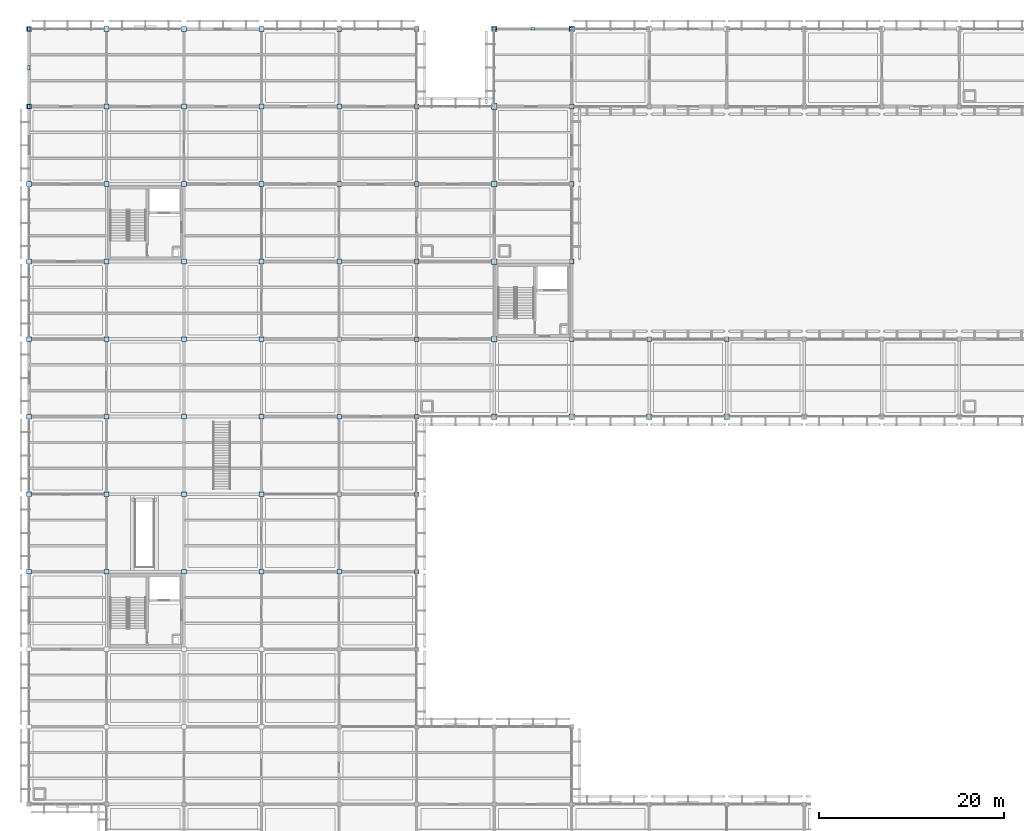
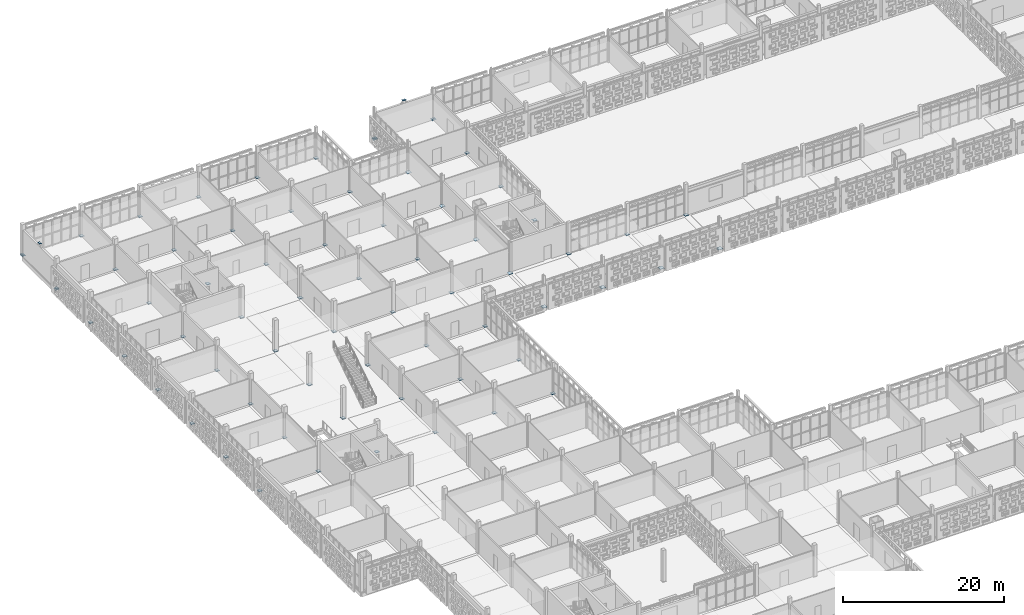
# One storey, part 109 of 203: 70 plates.
"""IFC4 building model written with IfcOpenShell, lengths in metres."""

from ifc_helpers import new_model, si_unit, direction, frame, origin, origin_2d, place, context, subcontext, project, spatial, rectangle, extrude, material, layer, layer_set, type_object, element, save


model = new_model("IFC4")

# Units and contexts
model_context = context("Model", 3, precision=1e-05, world=origin(), true_north=direction((0.0, 1.0)))
body_context = subcontext(model_context, "Body", "Model", "MODEL_VIEW")
ifc_project = project(units=[si_unit("LENGTHUNIT", "METRE"), si_unit("AREAUNIT", "SQUARE_METRE"), si_unit("VOLUMEUNIT", "CUBIC_METRE"), si_unit("PLANEANGLEUNIT", "RADIAN"), si_unit("MASSUNIT", "GRAM", prefix="KILO")], contexts=[model_context])

# Site, building, storey
site_placement = place(None, origin())
site = spatial("IfcSite", under=ifc_project, at=site_placement, CompositionType="ELEMENT")
building_placement = place(site_placement, origin())
building = spatial("IfcBuilding", under=site, at=building_placement, Name="Varnapada Polytechnic", CompositionType="ELEMENT")
storey_placement = place(building_placement, frame((0.0, 0.0, 4.800048828125)))
storey = spatial("IfcBuildingStorey", under=building, at=storey_placement, Name="L01", CompositionType="ELEMENT", Elevation=4.800048828125)

# Plates
ifc_material = material(Name="Steel S355", Category="steel")
ifc_layer_1 = layer(ifc_material, 0.034912109375)
ifc_layer_set_1 = layer_set([ifc_layer_1], Name="Steel S355")
plate_type_1 = type_object("IfcPlateType", Name="Plate BP-01", PredefinedType="SHEET", material=ifc_layer_set_1)
for number, where, z_axis, x_axis, name in (
    (1, (50.39990234375, 84.0, 0.0), (0.0, 0.0, 1.0), (1.0, 0.0, 0.0), "Column base shoe plate BP-01 at 7/11"),
    (2, (50.39990234375, 92.39990234375, 0.0), (0.0, 0.0, 1.0), (1.0, 0.0, 0.0), "Column base shoe plate BP-01 at 7/12"),
    (3, (50.39990234375, 100.800048828125, 0.0), (0.0, 0.0, 1.0), (1.0, 0.0, 0.0), "Column base shoe plate BP-01 at 7/13"),
    (4, (50.39990234375, 109.199951171875, 0.0), (0.0, 0.0, 1.0), (1.0, 0.0, 0.0), "Column base shoe plate BP-01 at 7/14"),
    (5, (50.39990234375, 117.60009765625, 0.0), (0.0, 0.0, 1.0), (1.0, 0.0, 0.0), "Column base shoe plate BP-01 at 7/15"),
    (6, (50.39990234375, 126.0, 0.0), (0.0, 0.0, 1.0), (1.0, 0.0, 0.0), "Column base shoe plate BP-01 at 7/16"),
    (7, (58.800048828125, 84.0, 0.0), (0.0, 0.0, 1.0), (1.0, 0.0, 0.0), "Column base shoe plate BP-01 at 8/11"),
    (8, (58.800048828125, 126.0, 0.0), (0.0, 0.0, 1.0), (1.0, 0.0, 0.0), "Column base shoe plate BP-01 at 8/16"),
    (9, (67.199951171875, 84.0, 0.0), (0.0, 0.0, 1.0), (1.0, 0.0, 0.0), "Column base shoe plate BP-01 at 9/11"),
    (10, (75.60009765625, 84.0, 0.0), (0.0, 0.0, 1.0), (1.0, 0.0, 0.0), "Column base shoe plate BP-01 at 10/11"),
):
    element("IfcPlate", number, at=place(storey_placement, frame(where, z_axis=z_axis, x_axis=x_axis)), inside=storey, type_object=plate_type_1, Name=name, PredefinedType="SHEET", context=body_context, shape_type="SweptSolid", body=[
        extrude(rectangle(XDim=0.60009765625, YDim=0.60009765625, at=origin_2d()), origin(), (0.0, 0.0, 1.0), 0.034912109375),
    ])
ifc_layer_2 = layer(ifc_material, 0.030029296875)
ifc_layer_set_2 = layer_set([ifc_layer_2], Name="Steel S355")
plate_type_2 = type_object("IfcPlateType", Name="Plate BP-02", PredefinedType="SHEET", material=ifc_layer_set_2)
for number, where, z_axis, x_axis, name in (
    (11, (0.0, 67.199951171875, 0.0), (0.0, 0.0, 1.0), (1.0, 0.0, 0.0), "Column base shoe plate BP-02 at 1/9"),
    (12, (0.0, 75.60009765625, 0.0), (0.0, 0.0, 1.0), (1.0, 0.0, 0.0), "Column base shoe plate BP-02 at 1/10"),
    (13, (0.0, 84.0, 0.0), (0.0, 0.0, 1.0), (1.0, 0.0, 0.0), "Column base shoe plate BP-02 at 1/11"),
    (14, (0.0, 92.39990234375, 0.0), (0.0, 0.0, 1.0), (1.0, 0.0, 0.0), "Column base shoe plate BP-02 at 1/12"),
    (15, (0.0, 100.800048828125, 0.0), (0.0, 0.0, 1.0), (1.0, 0.0, 0.0), "Column base shoe plate BP-02 at 1/13"),
    (16, (0.0, 109.199951171875, 0.0), (0.0, 0.0, 1.0), (1.0, 0.0, 0.0), "Column base shoe plate BP-02 at 1/14"),
    (17, (0.0, 117.60009765625, 0.0), (0.0, 0.0, 1.0), (1.0, 0.0, 0.0), "Column base shoe plate BP-02 at 1/15"),
    (18, (0.0, 126.0, 0.0), (0.0, 0.0, 1.0), (1.0, 0.0, 0.0), "Column base shoe plate BP-02 at 1/16"),
    (19, (8.39990234375, 67.199951171875, 0.0), (0.0, 0.0, 1.0), (1.0, 0.0, 0.0), "Column base shoe plate BP-02 at 2/9"),
    (20, (8.39990234375, 75.60009765625, 0.0), (0.0, 0.0, 1.0), (1.0, 0.0, 0.0), "Column base shoe plate BP-02 at 2/10"),
    (21, (8.39990234375, 84.0, 0.0), (0.0, 0.0, 1.0), (1.0, 0.0, 0.0), "Column base shoe plate BP-02 at 2/11"),
    (22, (8.39990234375, 92.39990234375, 0.0), (0.0, 0.0, 1.0), (1.0, 0.0, 0.0), "Column base shoe plate BP-02 at 2/12"),
    (23, (8.39990234375, 100.800048828125, 0.0), (0.0, 0.0, 1.0), (1.0, 0.0, 0.0), "Column base shoe plate BP-02 at 2/13"),
    (24, (8.39990234375, 109.199951171875, 0.0), (0.0, 0.0, 1.0), (1.0, 0.0, 0.0), "Column base shoe plate BP-02 at 2/14"),
    (25, (8.39990234375, 117.60009765625, 0.0), (0.0, 0.0, 1.0), (1.0, 0.0, 0.0), "Column base shoe plate BP-02 at 2/15"),
    (26, (8.39990234375, 126.0, 0.0), (0.0, 0.0, 1.0), (1.0, 0.0, 0.0), "Column base shoe plate BP-02 at 2/16"),
    (27, (16.800048828125, 67.199951171875, 0.0), (0.0, 0.0, 1.0), (1.0, 0.0, 0.0), "Column base shoe plate BP-02 at 3/9"),
    (28, (16.800048828125, 75.60009765625, 0.0), (0.0, 0.0, 1.0), (1.0, 0.0, 0.0), "Column base shoe plate BP-02 at 3/10"),
    (29, (16.800048828125, 84.0, 0.0), (0.0, 0.0, 1.0), (1.0, 0.0, 0.0), "Column base shoe plate BP-02 at 3/11"),
    (30, (16.800048828125, 92.39990234375, 0.0), (0.0, 0.0, 1.0), (1.0, 0.0, 0.0), "Column base shoe plate BP-02 at 3/12"),
    (31, (16.800048828125, 100.800048828125, 0.0), (0.0, 0.0, 1.0), (1.0, 0.0, 0.0), "Column base shoe plate BP-02 at 3/13"),
    (32, (16.800048828125, 109.199951171875, 0.0), (0.0, 0.0, 1.0), (1.0, 0.0, 0.0), "Column base shoe plate BP-02 at 3/14"),
    (33, (16.800048828125, 117.60009765625, 0.0), (0.0, 0.0, 1.0), (1.0, 0.0, 0.0), "Column base shoe plate BP-02 at 3/15"),
    (34, (16.800048828125, 126.0, 0.0), (0.0, 0.0, 1.0), (1.0, 0.0, 0.0), "Column base shoe plate BP-02 at 3/16"),
    (35, (25.199951171875, 67.199951171875, 0.0), (0.0, 0.0, 1.0), (1.0, 0.0, 0.0), "Column base shoe plate BP-02 at 4/9"),
    (36, (25.199951171875, 75.60009765625, 0.0), (0.0, 0.0, 1.0), (1.0, 0.0, 0.0), "Column base shoe plate BP-02 at 4/10"),
    (37, (25.199951171875, 84.0, 0.0), (0.0, 0.0, 1.0), (1.0, 0.0, 0.0), "Column base shoe plate BP-02 at 4/11"),
    (38, (25.199951171875, 92.39990234375, 0.0), (0.0, 0.0, 1.0), (1.0, 0.0, 0.0), "Column base shoe plate BP-02 at 4/12"),
    (39, (25.199951171875, 100.800048828125, 0.0), (0.0, 0.0, 1.0), (1.0, 0.0, 0.0), "Column base shoe plate BP-02 at 4/13"),
    (40, (25.199951171875, 109.199951171875, 0.0), (0.0, 0.0, 1.0), (1.0, 0.0, 0.0), "Column base shoe plate BP-02 at 4/14"),
    (41, (25.199951171875, 117.60009765625, 0.0), (0.0, 0.0, 1.0), (1.0, 0.0, 0.0), "Column base shoe plate BP-02 at 4/15"),
    (42, (25.199951171875, 126.0, 0.0), (0.0, 0.0, 1.0), (1.0, 0.0, 0.0), "Column base shoe plate BP-02 at 4/16"),
    (43, (33.60009765625, 67.199951171875, 0.0), (0.0, 0.0, 1.0), (1.0, 0.0, 0.0), "Column base shoe plate BP-02 at 5/9"),
    (44, (33.60009765625, 75.60009765625, 0.0), (0.0, 0.0, 1.0), (1.0, 0.0, 0.0), "Column base shoe plate BP-02 at 5/10"),
    (45, (33.60009765625, 84.0, 0.0), (0.0, 0.0, 1.0), (1.0, 0.0, 0.0), "Column base shoe plate BP-02 at 5/11"),
    (46, (33.60009765625, 92.39990234375, 0.0), (0.0, 0.0, 1.0), (1.0, 0.0, 0.0), "Column base shoe plate BP-02 at 5/12"),
    (47, (33.60009765625, 100.800048828125, 0.0), (0.0, 0.0, 1.0), (1.0, 0.0, 0.0), "Column base shoe plate BP-02 at 5/13"),
    (48, (33.60009765625, 109.199951171875, 0.0), (0.0, 0.0, 1.0), (1.0, 0.0, 0.0), "Column base shoe plate BP-02 at 5/14"),
    (49, (33.60009765625, 117.60009765625, 0.0), (0.0, 0.0, 1.0), (1.0, 0.0, 0.0), "Column base shoe plate BP-02 at 5/15"),
    (50, (33.60009765625, 126.0, 0.0), (0.0, 0.0, 1.0), (1.0, 0.0, 0.0), "Column base shoe plate BP-02 at 5/16"),
    (51, (42.0, 67.199951171875, 0.0), (0.0, 0.0, 1.0), (1.0, 0.0, 0.0), "Column base shoe plate BP-02 at 6/9"),
    (52, (42.0, 75.60009765625, 0.0), (0.0, 0.0, 1.0), (1.0, 0.0, 0.0), "Column base shoe plate BP-02 at 6/10"),
    (53, (42.0, 84.0, 0.0), (0.0, 0.0, 1.0), (1.0, 0.0, 0.0), "Column base shoe plate BP-02 at 6/11"),
    (54, (42.0, 92.39990234375, 0.0), (0.0, 0.0, 1.0), (1.0, 0.0, 0.0), "Column base shoe plate BP-02 at 6/12"),
    (55, (42.0, 100.800048828125, 0.0), (0.0, 0.0, 1.0), (1.0, 0.0, 0.0), "Column base shoe plate BP-02 at 6/13"),
    (56, (42.0, 109.199951171875, 0.0), (0.0, 0.0, 1.0), (1.0, 0.0, 0.0), "Column base shoe plate BP-02 at 6/14"),
    (57, (42.0, 117.60009765625, 0.0), (0.0, 0.0, 1.0), (1.0, 0.0, 0.0), "Column base shoe plate BP-02 at 6/15"),
    (58, (42.0, 126.0, 0.0), (0.0, 0.0, 1.0), (1.0, 0.0, 0.0), "Column base shoe plate BP-02 at 6/16"),
    (59, (58.800048828125, 92.39990234375, 0.0), (0.0, 0.0, 1.0), (1.0, 0.0, 0.0), "Column base shoe plate BP-02 at 8/12"),
    (60, (58.800048828125, 100.800048828125, 0.0), (0.0, 0.0, 1.0), (1.0, 0.0, 0.0), "Column base shoe plate BP-02 at 8/13"),
    (61, (58.800048828125, 109.199951171875, 0.0), (0.0, 0.0, 1.0), (1.0, 0.0, 0.0), "Column base shoe plate BP-02 at 8/14"),
    (62, (58.800048828125, 117.60009765625, 0.0), (0.0, 0.0, 1.0), (1.0, 0.0, 0.0), "Column base shoe plate BP-02 at 8/15"),
    (63, (67.199951171875, 92.39990234375, 0.0), (0.0, 0.0, 1.0), (1.0, 0.0, 0.0), "Column base shoe plate BP-02 at 9/12"),
    (64, (75.60009765625, 92.39990234375, 0.0), (0.0, 0.0, 1.0), (1.0, 0.0, 0.0), "Column base shoe plate BP-02 at 10/12"),
):
    element("IfcPlate", number, at=place(storey_placement, frame(where, z_axis=z_axis, x_axis=x_axis)), inside=storey, type_object=plate_type_2, Name=name, PredefinedType="SHEET", context=body_context, shape_type="SweptSolid", body=[
        extrude(rectangle(XDim=0.5, YDim=0.5, at=origin_2d()), origin(), (0.0, 0.0, 1.0), 0.030029296875),
    ])
ifc_layer_3 = layer(ifc_material, 0.02001953125)
ifc_layer_set_3 = layer_set([ifc_layer_3], Name="Steel S355")
plate_type_3 = type_object("IfcPlateType", Name="Plate BP-03", PredefinedType="SHEET", material=ifc_layer_set_3)
for number, where, z_axis, x_axis, name in (
    (65, (54.60009765625, 126.0, 4.389892578125), (0.0, 0.0, 1.0), (1.0, 0.0, 0.0), "L01 chevron brace gusset plate 3"),
    (66, (50.39990234375, 126.0, 0.1298828125), (0.0, 0.0, 1.0), (1.0, 0.0, 0.0), "L01 chevron brace base gusset plate 3L"),
    (67, (58.800048828125, 126.0, 0.1298828125), (0.0, 0.0, 1.0), (1.0, 0.0, 0.0), "L01 chevron brace base gusset plate 3R"),
    (68, (0.0, 121.800048828125, 4.389892578125), (0.0, 0.0, 1.0), (0.0, 1.0, 0.0), "L01 chevron brace gusset plate 8"),
    (69, (0.0, 117.60009765625, 0.1298828125), (0.0, 0.0, 1.0), (0.0, 1.0, 0.0), "L01 chevron brace base gusset plate 8L"),
    (70, (0.0, 126.0, 0.1298828125), (0.0, 0.0, 1.0), (0.0, 1.0, 0.0), "L01 chevron brace base gusset plate 8R"),
):
    element("IfcPlate", number, at=place(storey_placement, frame(where, z_axis=z_axis, x_axis=x_axis)), inside=storey, type_object=plate_type_3, Name=name, PredefinedType="SHEET", context=body_context, shape_type="SweptSolid", body=[
        extrude(rectangle(XDim=0.449951171875, YDim=0.280029296875, at=origin_2d()), origin(), (0.0, 0.0, 1.0), 0.02001953125),
    ])

save(model, "model.ifc")
